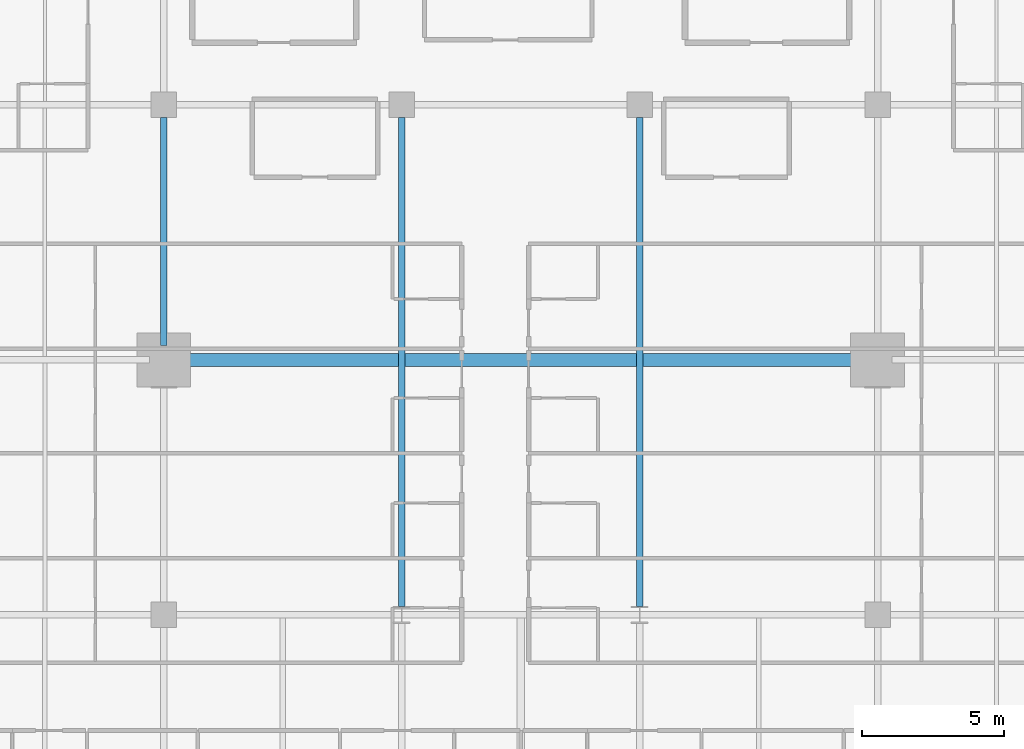
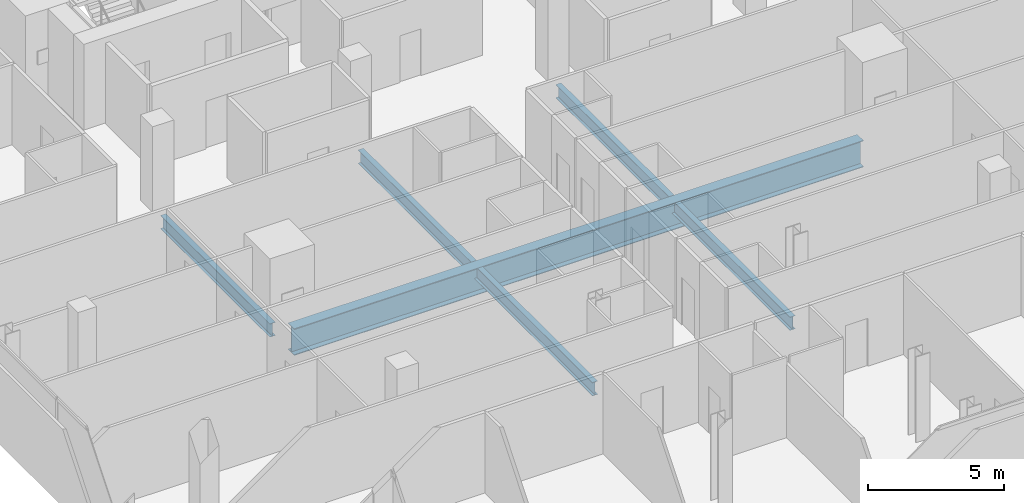
# One storey, part 11 of 34: 4 beams.
"""IFC4 building model written with IfcOpenShell, lengths in metres."""

from ifc_helpers import new_model, si_unit, direction, frame, origin, origin_2d, place, context, subcontext, project, spatial, i_section, extrude, material, material_profile, profile_set, type_object, element, save


model = new_model("IFC4")

# Units and contexts
model_context = context("Model", 3, precision=1e-05, world=origin(), true_north=direction((0.0, 1.0)))
body_context = subcontext(model_context, "Body", "Model", "MODEL_VIEW")
ifc_project = project(units=[si_unit("LENGTHUNIT", "METRE"), si_unit("AREAUNIT", "SQUARE_METRE"), si_unit("VOLUMEUNIT", "CUBIC_METRE"), si_unit("PLANEANGLEUNIT", "RADIAN"), si_unit("MASSUNIT", "GRAM", prefix="KILO")], contexts=[model_context])

# Site, building, storey
site_placement = place(None, origin())
site = spatial("IfcSite", under=ifc_project, at=site_placement, CompositionType="ELEMENT")
building_placement = place(site_placement, origin())
building = spatial("IfcBuilding", under=site, at=building_placement, Name="Maruvema Waterfront Hotel and Observation Tower", CompositionType="ELEMENT")
storey_placement = place(building_placement, frame((0.0, 0.0, 185.14990234375)))
storey = spatial("IfcBuildingStorey", under=building, at=storey_placement, Name="L45", CompositionType="ELEMENT", Elevation=185.14990234375)

# Beams
ifc_material_1 = material(Name="Steel ASTM A572 Grade 50", Category="steel")
ifc_material_profile_1 = material_profile(ifc_material_1, i_section(OverallWidth=0.22802734375, OverallDepth=0.60302734375, WebThickness=0.010498046875, FlangeThickness=0.014892578125, FilletRadius=0.01806640625, at=origin_2d()), Name="W610x101.0")
ifc_profile_set_1 = profile_set([ifc_material_profile_1], Name="Steel ASTM A572 Grade 50")
beam_type_1 = type_object("IfcBeamType", Name="Primary Floor Girder W610x101.0", PredefinedType="BEAM", material=ifc_profile_set_1)
beam_1_placement = place(storey_placement, frame((25.199951171875, 27.5, -0.54150390625), z_axis=(0.0, 1.0, 0.0), x_axis=(-1.0, 0.0, 0.0)))
element("IfcBeam", 1, at=beam_1_placement, inside=storey, type_object=beam_type_1, Name="L45 Floor Girder NS-12", PredefinedType="BEAM", context=body_context, shape_type="SweptSolid", body=[
    extrude(i_section(OverallWidth=0.22802734375, OverallDepth=0.60302734375, WebThickness=0.010498046875, FlangeThickness=0.014892578125, FilletRadius=0.01806640625, at=origin_2d()), origin(), (0.0, 0.0, 1.0), 8.050048828125),
])
for number, where, z_axis, x_axis, name in (
    (2, (33.60009765625, 18.300048828125, -0.54150390625), (0.0, 1.0, 0.0), (-1.0, 0.0, 0.0), "L45 Floor Girder NS-16"),
    (3, (42.0, 18.300048828125, -0.54150390625), (0.0, 1.0, 0.0), (-1.0, 0.0, 0.0), "L45 Floor Girder NS-19"),
):
    element("IfcBeam", number, at=place(storey_placement, frame(where, z_axis=z_axis, x_axis=x_axis)), inside=storey, type_object=beam_type_1, Name=name, PredefinedType="BEAM", context=body_context, shape_type="SweptSolid", body=[
        extrude(i_section(OverallWidth=0.22802734375, OverallDepth=0.60302734375, WebThickness=0.010498046875, FlangeThickness=0.014892578125, FilletRadius=0.01806640625, at=origin_2d()), origin(), (0.0, 0.0, 1.0), 17.25),
    ])
ifc_material_2 = material(Name="Steel ABNT NBR 7007 AR 415 (ASTM A572 Grade 50)", Category="steel")
ifc_material_profile_2 = material_profile(ifc_material_2, i_section(OverallWidth=0.449951171875, OverallDepth=1.199951171875, WebThickness=0.01904296875, FlangeThickness=0.031982421875, at=origin_2d()), Name="VS1200x366")
ifc_profile_set_2 = profile_set([ifc_material_profile_2], Name="Steel ABNT NBR 7007 AR 415 (ASTM A572 Grade 50)")
beam_type_2 = type_object("IfcBeamType", Name="Upper Setback Transfer Girder VS1200x366", PredefinedType="USERDEFINED", material=ifc_profile_set_2)
beam_2_placement = place(storey_placement, frame((25.699951171875, 27.0, -0.83984375), z_axis=(1.0, 0.0, 0.0), x_axis=(0.0, 1.0, 0.0)))
element("IfcBeam", 4, at=beam_2_placement, inside=storey, type_object=beam_type_2, Name="L45 Floor Girder EW-20", ObjectType="TRANSFER GIRDER", PredefinedType="USERDEFINED", context=body_context, shape_type="SweptSolid", body=[
    extrude(i_section(OverallWidth=0.449951171875, OverallDepth=1.199951171875, WebThickness=0.01904296875, FlangeThickness=0.031982421875, at=origin_2d()), origin(), (0.0, 0.0, 1.0), 24.199951171875),
])

save(model, "model.ifc")
